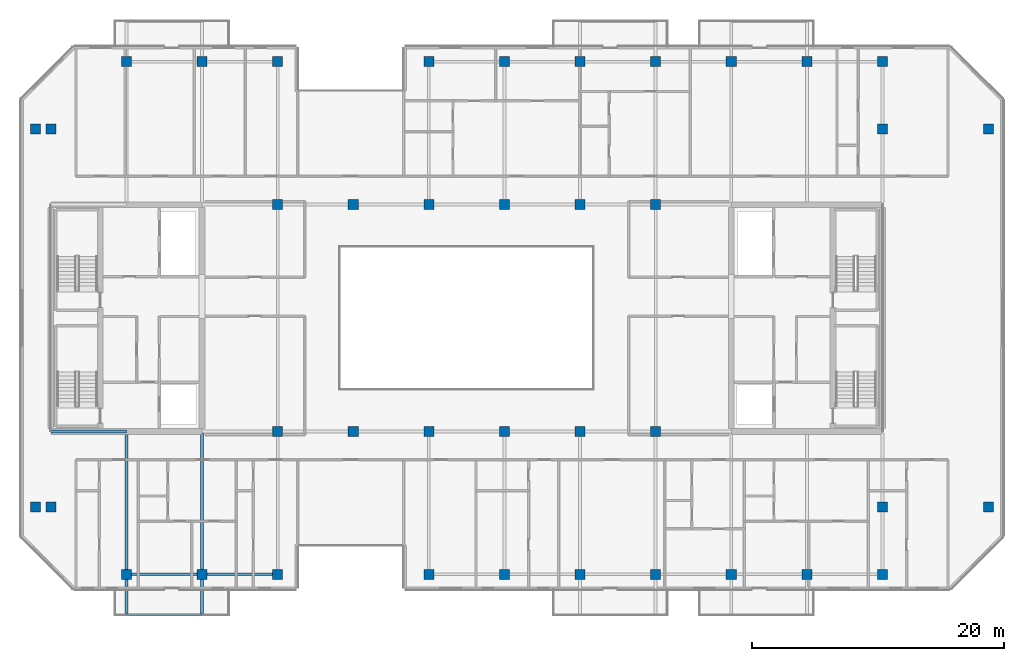
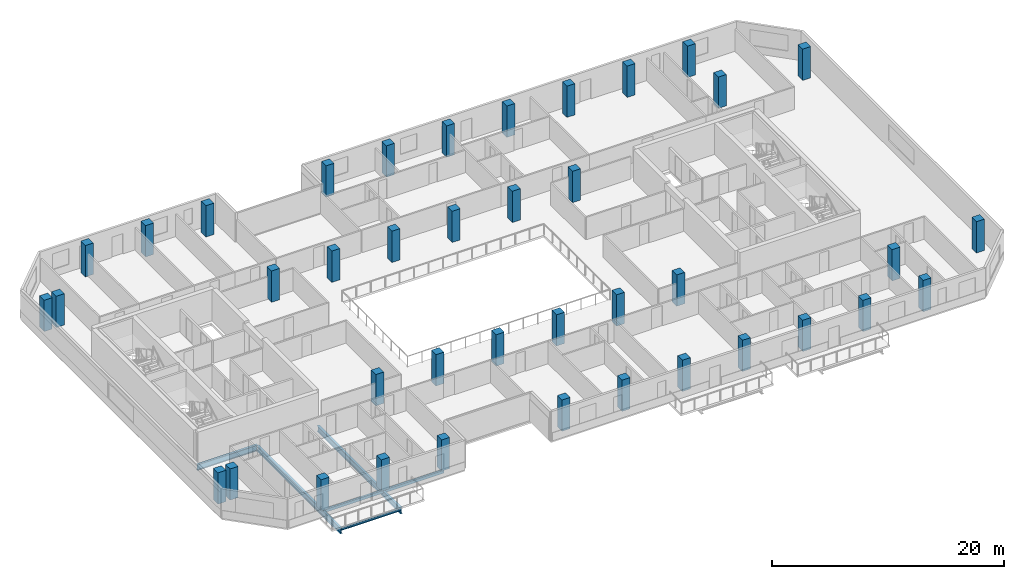
# One storey, part 1 of 16: 40 columns, 6 beams.
"""IFC4 building model written with IfcOpenShell, lengths in metres."""

from ifc_helpers import new_model, si_unit, direction, frame, origin, origin_2d, place, context, subcontext, project, spatial, rectangle, hollow_rectangle, i_section, extrude, material, material_profile, profile_set, type_object, element, save


model = new_model("IFC4")

# Units and contexts
model_context = context("Model", 3, precision=1e-05, world=origin(), true_north=direction((0.0, 1.0)))
body_context = subcontext(model_context, "Body", "Model", "MODEL_VIEW")
ifc_project = project(units=[si_unit("LENGTHUNIT", "METRE"), si_unit("AREAUNIT", "SQUARE_METRE"), si_unit("VOLUMEUNIT", "CUBIC_METRE"), si_unit("PLANEANGLEUNIT", "RADIAN"), si_unit("MASSUNIT", "GRAM", prefix="KILO")], contexts=[model_context])

# Site, building, storey
site_placement = place(None, origin())
site = spatial("IfcSite", under=ifc_project, at=site_placement, CompositionType="ELEMENT")
building_placement = place(site_placement, origin())
building = spatial("IfcBuilding", under=site, at=building_placement, Name="Tanjung Sevakor Pilgrim Tower", CompositionType="ELEMENT")
storey_placement = place(building_placement, frame((0.0, 0.0, 198.330078125)))
storey = spatial("IfcBuildingStorey", under=building, at=storey_placement, Name="L55", CompositionType="ELEMENT", Elevation=198.330078125)

# Columns
ifc_material_1 = material(Name="Concrete C60/75", Category="concrete")
ifc_material_profile_1 = material_profile(ifc_material_1, rectangle(XDim=0.800048828125, YDim=0.800048828125, at=origin_2d()))
ifc_profile_set_1 = profile_set([ifc_material_profile_1], Name="Concrete C60/75")
column_type = type_object("IfcColumnType", Name="COL-C-T800-RC_800x800", PredefinedType="COLUMN", material=ifc_profile_set_1)
for number, where, z_axis, x_axis, name in (
    (1, (42.0, 24.60009765625, 0.0), (0.0, 0.0, 1.0), (1.0, 0.0, 0.0), "L55 Column SPW-042-246"),
    (2, (42.0, 42.60009765625, 0.0), (0.0, 0.0, 1.0), (1.0, 0.0, 0.0), "L55 Column SPW-042-426"),
    (3, (48.0, 24.60009765625, 0.0), (0.0, 0.0, 1.0), (1.0, 0.0, 0.0), "L55 Column SPW-048-246"),
    (4, (48.0, 42.60009765625, 0.0), (0.0, 0.0, 1.0), (1.0, 0.0, 0.0), "L55 Column SPW-048-426"),
    (5, (54.0, 24.60009765625, 0.0), (0.0, 0.0, 1.0), (1.0, 0.0, 0.0), "L55 Column SPE-054-246"),
    (6, (54.0, 42.60009765625, 0.0), (0.0, 0.0, 1.0), (1.0, 0.0, 0.0), "L55 Column SPE-054-426"),
    (7, (60.0, 24.60009765625, 0.0), (0.0, 0.0, 1.0), (1.0, 0.0, 0.0), "L55 Column SPE-060-246"),
    (8, (60.0, 42.60009765625, 0.0), (0.0, 0.0, 1.0), (1.0, 0.0, 0.0), "L55 Column SPE-060-426"),
    (9, (66.0, 24.60009765625, 0.0), (0.0, 0.0, 1.0), (1.0, 0.0, 0.0), "L55 Column SPE-066-246"),
    (10, (66.0, 42.60009765625, 0.0), (0.0, 0.0, 1.0), (1.0, 0.0, 0.0), "L55 Column SPE-066-426"),
    (11, (72.0, 24.60009765625, 0.0), (0.0, 0.0, 1.0), (1.0, 0.0, 0.0), "L55 Column SPE-072-246"),
    (12, (72.0, 42.60009765625, 0.0), (0.0, 0.0, 1.0), (1.0, 0.0, 0.0), "L55 Column SPE-072-426"),
    (13, (22.800048828125, 18.60009765625, 0.0), (0.0, 0.0, 1.0), (1.0, 0.0, 0.0), "L55 Column TCE-0228-186"),
    (14, (22.800048828125, 48.60009765625, 0.0), (0.0, 0.0, 1.0), (1.0, 0.0, 0.0), "L55 Column TCE-0228-486"),
    (15, (24.0, 18.60009765625, 0.0), (0.0, 0.0, 1.0), (1.0, 0.0, 0.0), "L55 Column TCE-0240-186"),
    (16, (24.0, 48.60009765625, 0.0), (0.0, 0.0, 1.0), (1.0, 0.0, 0.0), "L55 Column TCE-0240-486"),
    (17, (90.0, 18.60009765625, 0.0), (0.0, 0.0, 1.0), (1.0, 0.0, 0.0), "L55 Column TCE-0900-186"),
    (18, (90.0, 48.60009765625, 0.0), (0.0, 0.0, 1.0), (1.0, 0.0, 0.0), "L55 Column TCE-0900-486"),
    (19, (98.39990234375, 18.60009765625, 0.0), (0.0, 0.0, 1.0), (1.0, 0.0, 0.0), "L55 Column TCE-0984-186"),
    (20, (98.39990234375, 48.60009765625, 0.0), (0.0, 0.0, 1.0), (1.0, 0.0, 0.0), "L55 Column TCE-0984-486"),
    (21, (30.0, 13.25, 0.0), (0.0, 0.0, 1.0), (1.0, 0.0, 0.0), "L55 Column TC4-030-132"),
    (22, (30.0, 53.949951171875, 0.0), (0.0, 0.0, 1.0), (1.0, 0.0, 0.0), "L55 Column TC4-030-540"),
    (23, (36.0, 13.25, 0.0), (0.0, 0.0, 1.0), (1.0, 0.0, 0.0), "L55 Column TC4-036-132"),
    (24, (36.0, 53.949951171875, 0.0), (0.0, 0.0, 1.0), (1.0, 0.0, 0.0), "L55 Column TC4-036-540"),
    (25, (42.0, 13.25, 0.0), (0.0, 0.0, 1.0), (1.0, 0.0, 0.0), "L55 Column TC4-042-132"),
    (26, (42.0, 53.949951171875, 0.0), (0.0, 0.0, 1.0), (1.0, 0.0, 0.0), "L55 Column TC4-042-540"),
    (27, (54.0, 13.25, 0.0), (0.0, 0.0, 1.0), (1.0, 0.0, 0.0), "L55 Column TC4-054-132"),
    (28, (54.0, 53.949951171875, 0.0), (0.0, 0.0, 1.0), (1.0, 0.0, 0.0), "L55 Column TC4-054-540"),
    (29, (60.0, 13.25, 0.0), (0.0, 0.0, 1.0), (1.0, 0.0, 0.0), "L55 Column TC4-060-132"),
    (30, (60.0, 53.949951171875, 0.0), (0.0, 0.0, 1.0), (1.0, 0.0, 0.0), "L55 Column TC4-060-540"),
    (31, (66.0, 13.25, 0.0), (0.0, 0.0, 1.0), (1.0, 0.0, 0.0), "L55 Column TC4-066-132"),
    (32, (66.0, 53.949951171875, 0.0), (0.0, 0.0, 1.0), (1.0, 0.0, 0.0), "L55 Column TC4-066-540"),
    (33, (72.0, 13.25, 0.0), (0.0, 0.0, 1.0), (1.0, 0.0, 0.0), "L55 Column TC4-072-132"),
    (34, (72.0, 53.949951171875, 0.0), (0.0, 0.0, 1.0), (1.0, 0.0, 0.0), "L55 Column TC4-072-540"),
    (35, (78.0, 13.25, 0.0), (0.0, 0.0, 1.0), (1.0, 0.0, 0.0), "L55 Column TC4-078-132"),
    (36, (78.0, 53.949951171875, 0.0), (0.0, 0.0, 1.0), (1.0, 0.0, 0.0), "L55 Column TC4-078-540"),
    (37, (84.0, 13.25, 0.0), (0.0, 0.0, 1.0), (1.0, 0.0, 0.0), "L55 Column TC4-084-132"),
    (38, (84.0, 53.949951171875, 0.0), (0.0, 0.0, 1.0), (1.0, 0.0, 0.0), "L55 Column TC4-084-540"),
    (39, (90.0, 13.25, 0.0), (0.0, 0.0, 1.0), (1.0, 0.0, 0.0), "L55 Column TC4-090-132"),
    (40, (90.0, 53.949951171875, 0.0), (0.0, 0.0, 1.0), (1.0, 0.0, 0.0), "L55 Column TC4-090-540"),
):
    element("IfcColumn", number, at=place(storey_placement, frame(where, z_axis=z_axis, x_axis=x_axis)), inside=storey, type_object=column_type, Name=name, PredefinedType="COLUMN", context=body_context, shape_type="SweptSolid", body=[
        extrude(rectangle(XDim=0.800048828125, YDim=0.800048828125, at=origin_2d()), origin(), (0.0, 0.0, 1.0), 3.2998046875),
    ])

# Beams
ifc_material_2 = material(Name="Steel S355J2", Category="steel")
ifc_material_profile_2 = material_profile(ifc_material_2, i_section(OverallWidth=0.22900390625, OverallDepth=0.6123046875, WebThickness=0.011962890625, FlangeThickness=0.01953125, FilletRadius=0.0126953125, at=origin_2d()))
ifc_profile_set_2 = profile_set([ifc_material_profile_2], Name="Steel S355J2")
beam_type_1 = type_object("IfcBeamType", Name="BM-B-G4-UB_610x229x125", PredefinedType="BEAM", material=ifc_profile_set_2)
beam_1_placement = place(storey_placement, frame((24.0, 24.60009765625, -0.526123046875), z_axis=(1.0, 0.0, 0.0), x_axis=(0.0, 1.0, 0.0)))
element("IfcBeam", 41, at=beam_1_placement, inside=storey, type_object=beam_type_1, Name="L55 Primary Floor Girder MAIN Y246-01", PredefinedType="BEAM", context=body_context, shape_type="SweptSolid", body=[
    extrude(i_section(OverallWidth=0.22900390625, OverallDepth=0.6123046875, WebThickness=0.011962890625, FlangeThickness=0.01953125, FilletRadius=0.0126953125, at=origin_2d()), origin(), (0.0, 0.0, 1.0), 6.0),
])
for number, where, z_axis, x_axis, name in (
    (42, (30.0, 24.485595703125, -0.526123046875), (0.0, -1.0, 0.0), (1.0, 0.0, 0.0), "L55 Balcony Cantilever Beam MAIN-S1-1"),
    (43, (36.0, 24.485595703125, -0.526123046875), (0.0, -1.0, 0.0), (1.0, 0.0, 0.0), "L55 Balcony Cantilever Beam MAIN-S1-2"),
):
    element("IfcBeam", number, at=place(storey_placement, frame(where, z_axis=z_axis, x_axis=x_axis)), inside=storey, type_object=beam_type_1, Name=name, PredefinedType="BEAM", context=body_context, shape_type="SweptSolid", body=[
        extrude(i_section(OverallWidth=0.22900390625, OverallDepth=0.6123046875, WebThickness=0.011962890625, FlangeThickness=0.01953125, FilletRadius=0.0126953125, at=origin_2d()), origin(), (0.0, 0.0, 1.0), 14.41552734375),
    ])
ifc_material_3 = material(Name="Steel S355J2", Category="steel")
ifc_material_profile_3 = material_profile(ifc_material_3, i_section(OverallWidth=0.146484375, OverallDepth=0.256103515625, WebThickness=0.00634765625, FlangeThickness=0.010986328125, FilletRadius=0.007568359375, at=origin_2d()))
ifc_profile_set_3 = profile_set([ifc_material_profile_3], Name="Steel S355J2")
beam_type_2 = type_object("IfcBeamType", Name="BM-B-J6-UB_254x146x37", PredefinedType="JOIST", material=ifc_profile_set_3)
beam_2_placement = place(storey_placement, frame((30.0, 10.070068359375, -0.328125), z_axis=(1.0, 0.0, 0.0), x_axis=(0.0, 1.0, 0.0)))
element("IfcBeam", 44, at=beam_2_placement, inside=storey, type_object=beam_type_2, Name="L55 Balcony Rim Tie MAIN-S1", PredefinedType="JOIST", context=body_context, shape_type="SweptSolid", body=[
    extrude(i_section(OverallWidth=0.146484375, OverallDepth=0.256103515625, WebThickness=0.00634765625, FlangeThickness=0.010986328125, FilletRadius=0.007568359375, at=origin_2d()), origin(), (0.0, 0.0, 1.0), 6.0),
])
ifc_material_4 = material(Name="Steel S355J2", Category="steel")
ifc_material_profile_4 = material_profile(ifc_material_4, hollow_rectangle(XDim=0.199951171875, YDim=0.300048828125, WallThickness=0.012451171875, at=origin_2d()))
ifc_profile_set_4 = profile_set([ifc_material_profile_4], Name="Steel S355J2")
beam_type_3 = type_object("IfcBeamType", Name="BM-B-SP3-RHS_300x200x12.5", PredefinedType="SPANDREL", material=ifc_profile_set_4)
for number, where, z_axis, x_axis, name in (
    (45, (30.0, 13.25, -0.3701171875), (1.0, 0.0, 0.0), (0.0, 1.0, 0.0), "L55 Spandrel MAIN S-01"),
    (46, (36.0, 13.25, -0.3701171875), (1.0, 0.0, 0.0), (0.0, 1.0, 0.0), "L55 Spandrel MAIN S-03"),
):
    element("IfcBeam", number, at=place(storey_placement, frame(where, z_axis=z_axis, x_axis=x_axis)), inside=storey, type_object=beam_type_3, Name=name, PredefinedType="SPANDREL", context=body_context, shape_type="SweptSolid", body=[
        extrude(hollow_rectangle(XDim=0.199951171875, YDim=0.300048828125, WallThickness=0.012451171875, at=origin_2d()), origin(), (0.0, 0.0, 1.0), 6.0),
    ])

save(model, "model.ifc")
